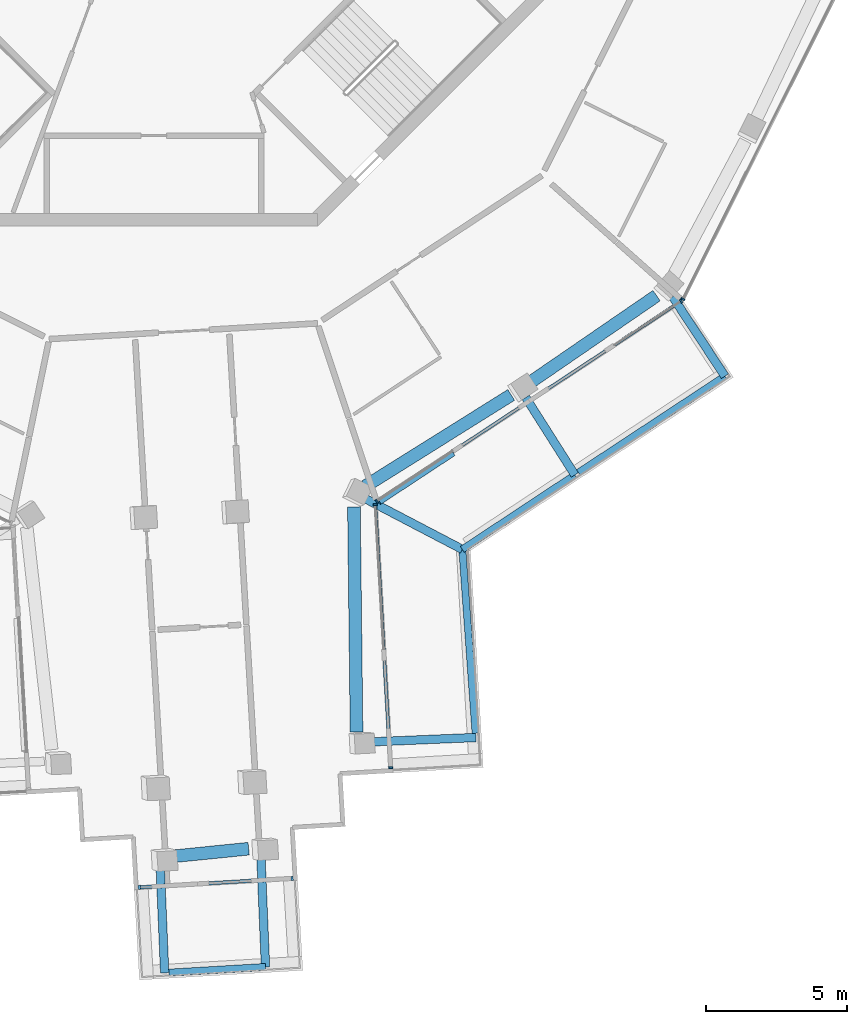
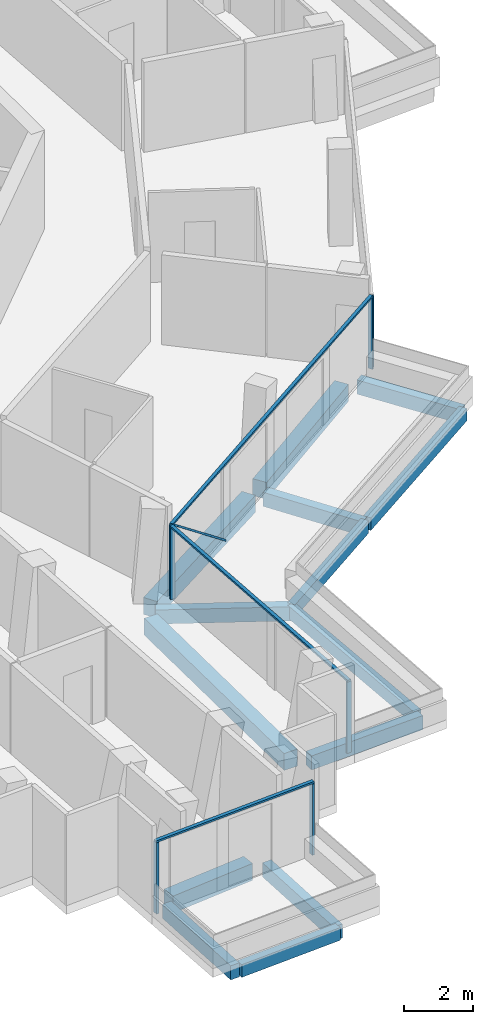
# One storey, part 3 of 26: 14 beams, 11 members, 4 elements without a shape of their own.
"""IFC4 building model written with IfcOpenShell, lengths in metres."""

import ifcopenshell
import ifcopenshell.guid

model = None  # the IFC model being written
_history = None  # IfcOwnerHistory: only IFC2X3 demands one
_inside = {}  # id of a spatial element -> (the spatial element, [elements in it])
_under = {}  # id of a project, library or spatial element -> (it, [spatial elements below it])
_declared = {}  # id of a project -> (the project, [libraries it declares])
_typed = {}  # id of a type object -> (the type object, [elements of that type])
_made_of = {}  # id of a material, layer set ... -> (it, [elements and type objects made of it])


def new_model(schema):
    """Start an empty IFC model of exactly this schema.

    Asked for "IFC4X3", IfcOpenShell would pick the latest addendum, in which some entities
    have other attributes; the version numbers below select the first issue.
    IFC2X3 requires an IfcOwnerHistory on every rooted entity: one is made here for all.
    """
    global model, _history
    if schema == "IFC4X3":
        model = ifcopenshell.file(schema_version=(4, 3, 0, 0))
    else:
        model = ifcopenshell.file(schema=schema)
    _inside.clear()
    _under.clear()
    _declared.clear()
    _typed.clear()
    _made_of.clear()
    _history = None
    if model.schema == "IFC2X3":
        org = make("IfcOrganization", Name="unknown")
        user = make(
            "IfcPersonAndOrganization",
            ThePerson=make("IfcPerson", FamilyName="unknown"),
            TheOrganization=org,
        )
        app = make(
            "IfcApplication",
            ApplicationDeveloper=org,
            Version="unknown",
            ApplicationFullName="unknown",
            ApplicationIdentifier="unknown",
        )
        _history = make(
            "IfcOwnerHistory",
            OwningUser=user,
            OwningApplication=app,
            ChangeAction="ADDED",
            CreationDate=0,
        )
    return model


def make(cls, **values):
    """One entity of the class cls with the attributes given. An attribute that is None is left unset."""
    return model.create_entity(
        cls, **{name: value for name, value in values.items() if value is not None}
    )


def rooted(cls, **values):
    """An entity with a GlobalId (a new one), such as an element, a storey or a relation."""
    return make(cls, GlobalId=ifcopenshell.guid.new(), OwnerHistory=_history, **values)


def si_unit(unit_type, name, prefix=None):
    """IfcSIUnit, for example si_unit("LENGTHUNIT", "METRE", prefix="MILLI")."""
    return make("IfcSIUnit", UnitType=unit_type, Prefix=prefix, Name=name)


def assignment(units):
    """IfcUnitAssignment: the units of a project."""
    return None if units is None else make("IfcUnitAssignment", Units=units)


def point(xyz):
    """IfcCartesianPoint."""
    return None if xyz is None else make("IfcCartesianPoint", Coordinates=xyz)


def direction(xyz):
    """IfcDirection."""
    return None if xyz is None else make("IfcDirection", DirectionRatios=xyz)


def frame(location, z_axis=None, x_axis=None):
    """IfcAxis2Placement3D, a coordinate frame: its origin and axes. An axis left out is left unset."""
    return make(
        "IfcAxis2Placement3D",
        Location=point(location),
        Axis=direction(z_axis),
        RefDirection=direction(x_axis),
    )


def frame_2d(location, x_axis=None):
    """IfcAxis2Placement2D, a coordinate frame in the plane: its origin and x axis."""
    return make(
        "IfcAxis2Placement2D", Location=point(location), RefDirection=direction(x_axis)
    )


def origin():
    """The frame at (0, 0, 0) with its axes left unset."""
    return frame((0.0, 0.0, 0.0))


def origin_2d():
    """The frame at (0, 0) in the plane with its x axis left unset."""
    return frame_2d((0.0, 0.0))


def place(relative_to, where):
    """IfcLocalPlacement: puts the frame where relative to a parent placement (None: the world)."""
    return make(
        "IfcLocalPlacement", PlacementRelTo=relative_to, RelativePlacement=where
    )


def context(
    kind, dimensions, precision=None, world=None, true_north=None, identifier=None
):
    """IfcGeometricRepresentationContext, for example the 3D "Model" context."""
    return make(
        "IfcGeometricRepresentationContext",
        ContextIdentifier=identifier,
        ContextType=kind,
        CoordinateSpaceDimension=dimensions,
        Precision=precision,
        WorldCoordinateSystem=world,
        TrueNorth=true_north,
    )


def subcontext(parent, identifier, kind, view, scale=None):
    """IfcGeometricRepresentationSubContext, for example "Body" below "Model"."""
    return make(
        "IfcGeometricRepresentationSubContext",
        ContextIdentifier=identifier,
        ContextType=kind,
        ParentContext=parent,
        TargetScale=scale,
        TargetView=view,
    )


def project(units=None, contexts=None):
    """IfcProject with its units and contexts."""
    return rooted(
        "IfcProject",
        Name="project",
        RepresentationContexts=contexts,
        UnitsInContext=assignment(units),
    )


def spatial(cls, under=None, at=None, **own):
    """A site, building, storey or space (cls), placed at a placement, below another one or the project."""
    s = rooted(cls, ObjectPlacement=at, **own)
    if under is not None:
        _under.setdefault(under.id(), (under, []))[1].append(s)
    return s


def profile(cls, at=None, kind="AREA", **sizes):
    """A parametric profile (cls). Its sizes go by their IFC names, for example OverallWidth=200.0."""
    return make(cls, ProfileType=kind, Position=at, **sizes)


def rectangle(**sizes):
    """IfcRectangleProfileDef."""
    return profile("IfcRectangleProfileDef", **sizes)


def extrude(swept, where, along, depth):
    """IfcExtrudedAreaSolid: the profile swept, set in the frame where, extruded along a direction by depth."""
    return make(
        "IfcExtrudedAreaSolid",
        SweptArea=swept,
        Position=where,
        ExtrudedDirection=direction(along),
        Depth=depth,
    )


def shape(context_of_items, identifier, shape_type, items):
    """IfcShapeRepresentation: the items that make up one representation, for example the "Body"."""
    return make(
        "IfcShapeRepresentation",
        ContextOfItems=context_of_items,
        RepresentationIdentifier=identifier,
        RepresentationType=shape_type,
        Items=items,
    )


def material(Name=None, Category=None):
    """IfcMaterial."""
    return make("IfcMaterial", Name=Name, Category=Category)


def layer(
    of_material, thickness, ventilated=None, Name=None, Category=None, Priority=None
):
    """IfcMaterialLayer: one layer of a wall or slab, of a material (None: an air gap)."""
    return make(
        "IfcMaterialLayer",
        Material=of_material,
        LayerThickness=thickness,
        IsVentilated=ventilated,
        Name=Name,
        Category=Category,
        Priority=Priority,
    )


def layer_set(layers, Name=None):
    """IfcMaterialLayerSet."""
    return make("IfcMaterialLayerSet", MaterialLayers=layers, LayerSetName=Name)


def material_profile(
    of_material, cross_section, Name=None, Category=None, Priority=None
):
    """IfcMaterialProfile: a cross section and its material."""
    return make(
        "IfcMaterialProfile",
        Name=Name,
        Material=of_material,
        Profile=cross_section,
        Priority=Priority,
        Category=Category,
    )


def profile_set(profiles, Name=None, composite=None):
    """IfcMaterialProfileSet."""
    return make(
        "IfcMaterialProfileSet",
        Name=Name,
        MaterialProfiles=profiles,
        CompositeProfile=composite,
    )


def made_of(thing, what):
    """Note that an element or type object is made of a material, layer set ...; save() writes the relation."""
    if what is not None:
        _made_of.setdefault(what.id(), (what, []))[1].append(thing)
    return thing


def type_object(cls, material=None, **own):
    """A type object (cls), such as IfcWallType, which elements share."""
    return made_of(rooted(cls, **own), material)


def element(
    cls,
    number,
    at=None,
    inside=None,
    cuts=None,
    type_object=None,
    material=None,
    context=None,
    identifier="Body",
    shape_type=None,
    held_by="IfcProductDefinitionShape",
    body=None,
    shapes=None,
    **own,
):
    """One element of the class cls, such as IfcWall. Its Tag is "e" and its number.

    at: its placement. inside: the storey or other place that contains it. cuts: it is an
    opening in that element (IfcRelVoidsElement). A single representation is given by context,
    identifier, shape_type and body (its items); several are given by shapes. held_by: the class
    of the entity that holds the representations. save() writes the other relations.
    """
    e = rooted(cls, Tag="e%d" % number, ObjectPlacement=at, **own)
    if body is not None:
        shapes = [shape(context, identifier, shape_type, body)]
    if shapes is not None:
        e.Representation = make(held_by, Representations=shapes)
    if inside is not None:
        _inside.setdefault(inside.id(), (inside, []))[1].append(e)
    if cuts is not None:
        rooted(
            "IfcRelVoidsElement", RelatingBuildingElement=cuts, RelatedOpeningElement=e
        )
    if type_object is not None:
        _typed.setdefault(type_object.id(), (type_object, []))[1].append(e)
    return made_of(e, material)


def aggregate(whole, parts):
    """IfcRelAggregates: a whole, such as a stair, and the parts it consists of."""
    return rooted("IfcRelAggregates", RelatingObject=whole, RelatedObjects=parts)


def save(model, path):
    """Write the relations noted so far, then the file.

    IfcRelAggregates (storeys below a building ...), IfcRelContainedInSpatialStructure (elements
    in a storey), IfcRelDefinesByType, IfcRelAssociatesMaterial and IfcRelDeclares: one each for
    every whole, place, type object, material and project.
    """
    for whole, parts in _under.values():
        aggregate(whole, parts)
    for where, things in _inside.values():
        rooted(
            "IfcRelContainedInSpatialStructure",
            RelatedElements=things,
            RelatingStructure=where,
        )
    for kind, things in _typed.values():
        rooted("IfcRelDefinesByType", RelatedObjects=things, RelatingType=kind)
    for what, things in _made_of.values():
        rooted("IfcRelAssociatesMaterial", RelatedObjects=things, RelatingMaterial=what)
    for by, libraries in _declared.values():
        rooted("IfcRelDeclares", RelatingContext=by, RelatedDefinitions=libraries)
    model.write(path)


model = new_model("IFC4")

# Units and contexts
model_context = context("Model", 3, precision=1e-05, world=origin(), true_north=direction((0.0, 1.0)))
body_context = subcontext(model_context, "Body", "Model", "MODEL_VIEW")
ifc_project = project(units=[si_unit("LENGTHUNIT", "METRE"), si_unit("AREAUNIT", "SQUARE_METRE"), si_unit("VOLUMEUNIT", "CUBIC_METRE"), si_unit("PLANEANGLEUNIT", "RADIAN"), si_unit("MASSUNIT", "GRAM", prefix="KILO")], contexts=[model_context])

# Site, building, storey
site_placement = place(None, origin())
site = spatial("IfcSite", under=ifc_project, at=site_placement, CompositionType="ELEMENT")
building_placement = place(site_placement, origin())
building = spatial("IfcBuilding", under=site, at=building_placement, Name="Verdalira Terraces Hotel", CompositionType="ELEMENT")
storey_placement = place(building_placement, frame((0.0, 0.0, 291.5)))
storey = spatial("IfcBuildingStorey", under=building, at=storey_placement, Name="L72", CompositionType="ELEMENT", Elevation=291.5)

# Beams
ifc_material_1 = material(Name="Concrete C40", Category="concrete")
ifc_material_profile_1 = material_profile(ifc_material_1, rectangle(XDim=0.300049, YDim=0.5, at=origin_2d()), Name="RC 300X500")
ifc_profile_set_1 = profile_set([ifc_material_profile_1], Name="Concrete C40")
beam_type_1 = type_object("IfcBeamType", Name="Balcony cantilever beam RC 300X500 C40", PredefinedType="BEAM", material=ifc_profile_set_1)
beam_1_placement = place(storey_placement, frame((0.224854, -36.75, -0.560059), z_axis=(0.041827813, -0.999124834, 0.0), x_axis=(0.999124834, 0.041827813, 0.0)))
element("IfcBeam", 1, at=beam_1_placement, inside=storey, type_object=beam_type_1, Name="Balcony cantilever beam R19-1", PredefinedType="BEAM", context=body_context, shape_type="SweptSolid", body=[
    extrude(rectangle(XDim=0.300049, YDim=0.5, at=origin_2d()), origin(), (0.0, 0.0, 1.0), 3.706299),
])
beam_2_placement = place(storey_placement, frame((3.789795, -36.385742, -0.560059), z_axis=(0.041859361, -0.999123513, 0.0), x_axis=(0.999123513, 0.041859361, 0.0)))
element("IfcBeam", 2, at=beam_2_placement, inside=storey, type_object=beam_type_1, Name="Balcony cantilever beam R19-2", PredefinedType="BEAM", context=body_context, shape_type="SweptSolid", body=[
    extrude(rectangle(XDim=0.300049, YDim=0.5, at=origin_2d()), origin(), (0.0, 0.0, 1.0), 3.861084),
])
beam_3_placement = place(storey_placement, frame((7.57666, -32.278076, -0.560059), z_axis=(0.999122098, 0.041893115, 0.0), x_axis=(-0.041893115, 0.999122098, 0.0)))
element("IfcBeam", 3, at=beam_3_placement, inside=storey, type_object=beam_type_1, Name="Balcony cantilever beam R24-1", PredefinedType="BEAM", context=body_context, shape_type="SweptSolid", body=[
    extrude(rectangle(XDim=0.300049, YDim=0.5, at=origin_2d()), origin(), (0.0, 0.0, 1.0), 3.828857),
])
beam_4_placement = place(storey_placement, frame((7.422119, -23.625, -0.560059), z_axis=(0.886196607, -0.463309371, 0.0), x_axis=(0.463309371, 0.886196607, 0.0)))
element("IfcBeam", 4, at=beam_4_placement, inside=storey, type_object=beam_type_1, Name="Balcony cantilever beam R24-2", PredefinedType="BEAM", context=body_context, shape_type="SweptSolid", body=[
    extrude(rectangle(XDim=0.300049, YDim=0.5, at=origin_2d()), origin(), (0.0, 0.0, 1.0), 3.949951),
])
beam_5_placement = place(storey_placement, frame((13.167725, -20.074707, -0.560059), z_axis=(0.535825469, -0.844328767, 0.0), x_axis=(0.844328767, 0.535825469, 0.0)))
element("IfcBeam", 5, at=beam_5_placement, inside=storey, type_object=beam_type_1, Name="Balcony cantilever beam R24-3", PredefinedType="BEAM", context=body_context, shape_type="SweptSolid", body=[
    extrude(rectangle(XDim=0.300049, YDim=0.5, at=origin_2d()), origin(), (0.0, 0.0, 1.0), 3.250977),
])
beam_6_placement = place(storey_placement, frame((18.370117, -16.506104, -0.560059), z_axis=(0.549893207, -0.835234973, 0.0), x_axis=(0.835234973, 0.549893207, 0.0)))
element("IfcBeam", 6, at=beam_6_placement, inside=storey, type_object=beam_type_1, Name="Balcony cantilever beam R24-4", PredefinedType="BEAM", context=body_context, shape_type="SweptSolid", body=[
    extrude(rectangle(XDim=0.300049, YDim=0.5, at=origin_2d()), origin(), (0.0, 0.0, 1.0), 3.370117),
])
ifc_material_2 = material(Name="Concrete C40", Category="concrete")
ifc_material_profile_2 = material_profile(ifc_material_2, rectangle(XDim=0.25, YDim=0.449951, at=origin_2d()), Name="RC 250X450")
ifc_profile_set_2 = profile_set([ifc_material_profile_2], Name="Concrete C40")
beam_type_2 = type_object("IfcBeamType", Name="Balcony edge beam RC 250X450 C40", PredefinedType="BEAM", material=ifc_profile_set_2)
beam_7_placement = place(storey_placement, frame((0.529785, -40.444336, -0.534912), z_axis=(0.998280263, 0.058621809, 0.0), x_axis=(-0.058621809, 0.998280263, 0.0)))
element("IfcBeam", 7, at=beam_7_placement, inside=storey, type_object=beam_type_2, Name="Balcony edge beam R19-1", PredefinedType="BEAM", context=body_context, shape_type="SweptSolid", body=[
    extrude(rectangle(XDim=0.25, YDim=0.449951, at=origin_2d()), origin(), (0.0, 0.0, 1.0), 3.42749),
])
beam_8_placement = place(storey_placement, frame((11.391357, -31.968018, -0.534912), z_axis=(-0.071786425, 0.997420026, 0.0), x_axis=(-0.997420026, -0.071786425, 0.0)))
element("IfcBeam", 8, at=beam_8_placement, inside=storey, type_object=beam_type_2, Name="Balcony edge beam R24-1", PredefinedType="BEAM", context=body_context, shape_type="SweptSolid", body=[
    extrude(rectangle(XDim=0.25, YDim=0.449951, at=origin_2d()), origin(), (0.0, 0.0, 1.0), 6.529785),
])
beam_9_placement = place(storey_placement, frame((10.922607, -25.455078, -0.534912), z_axis=(0.834220768, 0.551430604, 0.0), x_axis=(-0.551430604, 0.834220768, 0.0)))
element("IfcBeam", 9, at=beam_9_placement, inside=storey, type_object=beam_type_2, Name="Balcony edge beam R24-2", PredefinedType="BEAM", context=body_context, shape_type="SweptSolid", body=[
    extrude(rectangle(XDim=0.25, YDim=0.449951, at=origin_2d()), origin(), (0.0, 0.0, 1.0), 4.779297),
])
beam_10_placement = place(storey_placement, frame((15.034912, -22.737061, -0.534912), z_axis=(0.83522898, 0.54990231, 0.0), x_axis=(-0.54990231, 0.83522898, 0.0)))
element("IfcBeam", 10, at=beam_10_placement, inside=storey, type_object=beam_type_2, Name="Balcony edge beam R24-3", PredefinedType="BEAM", context=body_context, shape_type="SweptSolid", body=[
    extrude(rectangle(XDim=0.25, YDim=0.449951, at=origin_2d()), origin(), (0.0, 0.0, 1.0), 6.212158),
])

# Curtain wall, members
ifc_material_3 = material(Name="Clear glass", Category="glass")
ifc_layer_1 = layer(ifc_material_3, 0.14990234375)
ifc_layer_set_1 = layer_set([ifc_layer_1], Name="CW1 curtain wall")
curtain_wall_type_1 = type_object("IfcCurtainWallType", Name="CW1 curtain wall", PredefinedType="NOTDEFINED", material=ifc_layer_set_1)
curtain_wall_1_placement = place(storey_placement, origin())
curtain_wall_1 = element("IfcCurtainWall", 11, at=curtain_wall_1_placement, inside=storey, type_object=curtain_wall_type_1, Name="CW1 curtain wall L72 edge 25", PredefinedType="NOTDEFINED")
ifc_material_4 = material(Name="Terracotta frame", Category="masonry")
ifc_material_profile_3 = material_profile(ifc_material_4, rectangle(XDim=0.060059, YDim=0.149902, at=origin_2d()), Name="MU 60x150")
ifc_profile_set_3 = profile_set([ifc_material_profile_3], Name="Terracotta frame")
member_type_1 = type_object("IfcMemberType", Name="CW1 mullion 60x150", PredefinedType="MULLION", material=ifc_profile_set_3)
member_1_placement = place(storey_placement, frame((7.894287, -23.756592, 0.0), z_axis=(0.0, 0.0, 1.0), x_axis=(0.835231968, 0.549897772, 0.0)))
member_1 = element("IfcMember", 12, at=member_1_placement, type_object=member_type_1, Name="CW1 mullion", PredefinedType="MULLION", context=body_context, shape_type="SweptSolid", body=[
    extrude(rectangle(XDim=0.060059, YDim=0.149902, at=origin_2d()), origin(), (0.0, 0.0, 1.0), 2.524902),
])
member_2_placement = place(storey_placement, frame((18.668701, -16.662842, 0.0), z_axis=(0.0, 0.0, 1.0), x_axis=(0.835231968, 0.549897772, 0.0)))
member_2 = element("IfcMember", 13, at=member_2_placement, type_object=member_type_1, Name="CW1 mullion", PredefinedType="MULLION", context=body_context, shape_type="SweptSolid", body=[
    extrude(rectangle(XDim=0.060059, YDim=0.149902, at=origin_2d()), origin(), (0.0, 0.0, 1.0), 2.524902),
])

# Curtain wall, member
curtain_wall_2_placement = place(storey_placement, origin())
curtain_wall_2 = element("IfcCurtainWall", 14, at=curtain_wall_2_placement, inside=storey, type_object=curtain_wall_type_1, Name="CW1 curtain wall L72 edge 26", PredefinedType="NOTDEFINED")
member_3_placement = place(storey_placement, frame((18.733154, -16.590576, 0.0), z_axis=(0.0, 0.0, 1.0), x_axis=(0.448383216, 0.893841424, 0.0)))
member_3 = element("IfcMember", 15, at=member_3_placement, type_object=member_type_1, Name="CW1 mullion", PredefinedType="MULLION", context=body_context, shape_type="SweptSolid", body=[
    extrude(rectangle(XDim=0.060059, YDim=0.149902, at=origin_2d()), origin(), (0.0, 0.0, 1.0), 2.524902),
])
aggregate(curtain_wall_2, [member_3])

# Member
ifc_material_5 = material(Name="Terracotta frame", Category="masonry")
ifc_material_profile_4 = material_profile(ifc_material_5, rectangle(XDim=0.110107, YDim=0.064941, at=origin_2d()), Name="TR 65x110")
ifc_profile_set_4 = profile_set([ifc_material_profile_4], Name="Terracotta frame")
member_type_2 = type_object("IfcMemberType", Name="CW1 transom 65x110", PredefinedType="USERDEFINED", material=ifc_profile_set_4)
member_4_placement = place(storey_placement, frame((7.869385, -23.772949, 2.557617), z_axis=(0.835236074, 0.549891535, 0.0), x_axis=(-0.549891535, 0.835236074, 0.0)))
member_4 = element("IfcMember", 16, at=member_4_placement, type_object=member_type_2, Name="CW1 transom", ObjectType="TRANSOM", PredefinedType="USERDEFINED", context=body_context, shape_type="SweptSolid", body=[
    extrude(rectangle(XDim=0.110107, YDim=0.064941, at=origin_2d()), origin(), (0.0, 0.0, 1.0), 12.959717),
])

# Curtain wall, members
ifc_material_6 = material(Name="Clear glass", Category="glass")
ifc_layer_2 = layer(ifc_material_6, 0.14990234375)
ifc_layer_set_2 = layer_set([ifc_layer_2], Name="CW2 curtain wall")
curtain_wall_type_2 = type_object("IfcCurtainWallType", Name="CW2 curtain wall", PredefinedType="NOTDEFINED", material=ifc_layer_set_2)
curtain_wall_3_placement = place(storey_placement, origin())
curtain_wall_3 = element("IfcCurtainWall", 17, at=curtain_wall_3_placement, inside=storey, type_object=curtain_wall_type_2, Name="CW2 curtain wall L72 edge 24", PredefinedType="NOTDEFINED")
ifc_material_7 = material(Name="Terracotta frame", Category="masonry")
ifc_material_profile_5 = material_profile(ifc_material_7, rectangle(XDim=0.070068, YDim=0.149902, at=origin_2d()), Name="MU 70x150")
ifc_profile_set_5 = profile_set([ifc_material_profile_5], Name="Terracotta frame")
member_type_3 = type_object("IfcMemberType", Name="CW2 mullion 70x150", PredefinedType="MULLION", material=ifc_profile_set_5)
member_5_placement = place(storey_placement, frame((8.384521, -33.186523, 0.0), z_axis=(0.0, 0.0, 1.0), x_axis=(-0.058609456, 0.998280988, 0.0)))
member_5 = element("IfcMember", 18, at=member_5_placement, type_object=member_type_3, Name="CW2 mullion", PredefinedType="MULLION", context=body_context, shape_type="SweptSolid", body=[
    extrude(rectangle(XDim=0.070068, YDim=0.149902, at=origin_2d()), origin(), (0.0, 0.0, 1.0), 2.524902),
])
member_6_placement = place(storey_placement, frame((7.837891, -23.875, 0.0), z_axis=(0.0, 0.0, 1.0), x_axis=(-0.058609456, 0.998280988, 0.0)))
member_6 = element("IfcMember", 19, at=member_6_placement, type_object=member_type_3, Name="CW2 mullion", PredefinedType="MULLION", context=body_context, shape_type="SweptSolid", body=[
    extrude(rectangle(XDim=0.070068, YDim=0.149902, at=origin_2d()), origin(), (0.0, 0.0, 1.0), 2.524902),
])
ifc_material_8 = material(Name="Terracotta frame", Category="masonry")
ifc_material_profile_6 = material_profile(ifc_material_8, rectangle(XDim=0.11499, YDim=0.064941, at=origin_2d()), Name="TR 65x115")
ifc_profile_set_6 = profile_set([ifc_material_profile_6], Name="Terracotta frame")
member_type_4 = type_object("IfcMemberType", Name="CW2 transom 65x115", PredefinedType="USERDEFINED", material=ifc_profile_set_6)
member_7_placement = place(storey_placement, frame((8.386475, -33.221436, 2.557617), z_axis=(-0.058609325, 0.998280996, 0.0), x_axis=(-0.998280996, -0.058609325, 0.0)))
member_7 = element("IfcMember", 20, at=member_7_placement, type_object=member_type_4, Name="CW2 transom", ObjectType="TRANSOM", PredefinedType="USERDEFINED", context=body_context, shape_type="SweptSolid", body=[
    extrude(rectangle(XDim=0.11499, YDim=0.064941, at=origin_2d()), origin(), (0.0, 0.0, 1.0), 9.397461),
])
aggregate(curtain_wall_3, [member_5, member_6, member_7])

ifc_material_9 = material(Name="Clear glass", Category="glass")
ifc_layer_3 = layer(ifc_material_9, 0.14990234375)
ifc_layer_set_3 = layer_set([ifc_layer_3], Name="CW3 curtain wall")
curtain_wall_type_3 = type_object("IfcCurtainWallType", Name="CW3 curtain wall", PredefinedType="NOTDEFINED", material=ifc_layer_set_3)
curtain_wall_4_placement = place(storey_placement, origin())
curtain_wall_4 = element("IfcCurtainWall", 21, at=curtain_wall_4_placement, inside=storey, type_object=curtain_wall_type_3, Name="CW3 curtain wall L72 edge 19", PredefinedType="NOTDEFINED")
ifc_material_10 = material(Name="Terracotta frame", Category="masonry")
ifc_material_profile_7 = material_profile(ifc_material_10, rectangle(XDim=0.080078, YDim=0.149902, at=origin_2d()), Name="MU 80x150")
ifc_profile_set_7 = profile_set([ifc_material_profile_7], Name="Terracotta frame")
member_type_5 = type_object("IfcMemberType", Name="CW3 mullion 80x150", PredefinedType="MULLION", material=ifc_profile_set_7)
member_8_placement = place(storey_placement, frame((-0.517334, -37.425537, 0.0), z_axis=(0.0, 0.0, 1.0), x_axis=(0.998280988, 0.058609456, 0.0)))
member_8 = element("IfcMember", 22, at=member_8_placement, type_object=member_type_5, Name="CW3 mullion", PredefinedType="MULLION", context=body_context, shape_type="SweptSolid", body=[
    extrude(rectangle(XDim=0.080078, YDim=0.149902, at=origin_2d()), origin(), (0.0, 0.0, 1.0), 2.524902),
])
member_9_placement = place(storey_placement, frame((4.893311, -37.10791, 0.0), z_axis=(0.0, 0.0, 1.0), x_axis=(0.998280988, 0.058609456, 0.0)))
member_9 = element("IfcMember", 23, at=member_9_placement, type_object=member_type_5, Name="CW3 mullion", PredefinedType="MULLION", context=body_context, shape_type="SweptSolid", body=[
    extrude(rectangle(XDim=0.080078, YDim=0.149902, at=origin_2d()), origin(), (0.0, 0.0, 1.0), 2.524902),
])
ifc_material_11 = material(Name="Terracotta frame", Category="masonry")
ifc_material_profile_8 = material_profile(ifc_material_11, rectangle(XDim=0.120117, YDim=0.064941, at=origin_2d()), Name="TR 65x120")
ifc_profile_set_8 = profile_set([ifc_material_profile_8], Name="Terracotta frame")
member_type_6 = type_object("IfcMemberType", Name="CW3 transom 65x120", PredefinedType="USERDEFINED", material=ifc_profile_set_8)
member_10_placement = place(storey_placement, frame((-0.557373, -37.427734, 2.557617), z_axis=(0.998281865, 0.058594516, 0.0), x_axis=(-0.058594516, 0.998281865, 0.0)))
member_10 = element("IfcMember", 24, at=member_10_placement, type_object=member_type_6, Name="CW3 transom", ObjectType="TRANSOM", PredefinedType="USERDEFINED", context=body_context, shape_type="SweptSolid", body=[
    extrude(rectangle(XDim=0.120117, YDim=0.064941, at=origin_2d()), origin(), (0.0, 0.0, 1.0), 5.5),
])
aggregate(curtain_wall_4, [member_8, member_9, member_10])

# Member
ifc_material_12 = material(Name="Terracotta frame", Category="masonry")
ifc_material_profile_9 = material_profile(ifc_material_12, rectangle(XDim=0.149902, YDim=0.060059, at=origin_2d()), Name="GB 60x150")
ifc_profile_set_9 = profile_set([ifc_material_profile_9], Name="Terracotta frame")
member_type_7 = type_object("IfcMemberType", Name="Diagonal glazing bar 60x150", PredefinedType="USERDEFINED", material=ifc_profile_set_9)
member_11_placement = place(storey_placement, frame((7.994629, -23.797119, 2.500244), z_axis=(0.654883288, 0.431161593, -0.620667029), x_axis=(-0.549898927, 0.835231207, 0.0)))
member_11 = element("IfcMember", 25, at=member_11_placement, type_object=member_type_7, Name="Diagonal glazing bar", ObjectType="GLAZING BAR", PredefinedType="USERDEFINED", context=body_context, shape_type="SweptSolid", body=[
    extrude(rectangle(XDim=0.149902, YDim=0.060059, at=origin_2d()), origin(), (0.0, 0.0, 1.0), 3.988525),
])

aggregate(curtain_wall_1, [member_1, member_2, member_4, member_11])

# Beams
ifc_material_13 = material(Name="Concrete C40", Category="concrete")
ifc_material_profile_10 = material_profile(ifc_material_13, rectangle(XDim=0.449951, YDim=0.600098, at=origin_2d()), Name="RC 450X600")
ifc_profile_set_10 = profile_set([ifc_material_profile_10], Name="Concrete C40")
beam_type_3 = type_object("IfcBeamType", Name="Spandrel beam RC 450X600 C40", PredefinedType="SPANDREL", material=ifc_profile_set_10)
beam_11_placement = place(storey_placement, frame((0.524902, -36.341309, -0.610107), z_axis=(0.99496896, 0.100183674, 0.0), x_axis=(-0.100183674, 0.99496896, 0.0)))
element("IfcBeam", 26, at=beam_11_placement, inside=storey, type_object=beam_type_3, Name="Spandrel beam B11", PredefinedType="SPANDREL", context=body_context, shape_type="SweptSolid", body=[
    extrude(rectangle(XDim=0.449951, YDim=0.600098, at=origin_2d()), origin(), (0.0, 0.0, 1.0), 2.843994),
])
beam_12_placement = place(storey_placement, frame((7.175293, -31.92041, -0.610107), z_axis=(-0.011511791, 0.999933737, 0.0), x_axis=(-0.999933737, -0.011511791, 0.0)))
element("IfcBeam", 27, at=beam_12_placement, inside=storey, type_object=beam_type_3, Name="Spandrel beam B12", PredefinedType="SPANDREL", context=body_context, shape_type="SweptSolid", body=[
    extrude(rectangle(XDim=0.449951, YDim=0.600098, at=origin_2d()), origin(), (0.0, 0.0, 1.0), 7.974121),
])
beam_13_placement = place(storey_placement, frame((7.484131, -23.21875, -0.610107), z_axis=(0.847737263, 0.530416377, 0.0), x_axis=(-0.530416377, 0.847737263, 0.0)))
element("IfcBeam", 28, at=beam_13_placement, inside=storey, type_object=beam_type_3, Name="Spandrel beam B13", PredefinedType="SPANDREL", context=body_context, shape_type="SweptSolid", body=[
    extrude(rectangle(XDim=0.449951, YDim=0.600098, at=origin_2d()), origin(), (0.0, 0.0, 1.0), 6.097412),
])
beam_14_placement = place(storey_placement, frame((13.250488, -19.592529, -0.610107), z_axis=(0.824463594, 0.565914995, 0.0), x_axis=(-0.565914995, 0.824463594, 0.0)))
element("IfcBeam", 29, at=beam_14_placement, inside=storey, type_object=beam_type_3, Name="Spandrel beam B14", PredefinedType="SPANDREL", context=body_context, shape_type="SweptSolid", body=[
    extrude(rectangle(XDim=0.449951, YDim=0.600098, at=origin_2d()), origin(), (0.0, 0.0, 1.0), 5.52124),
])

save(model, "model.ifc")
